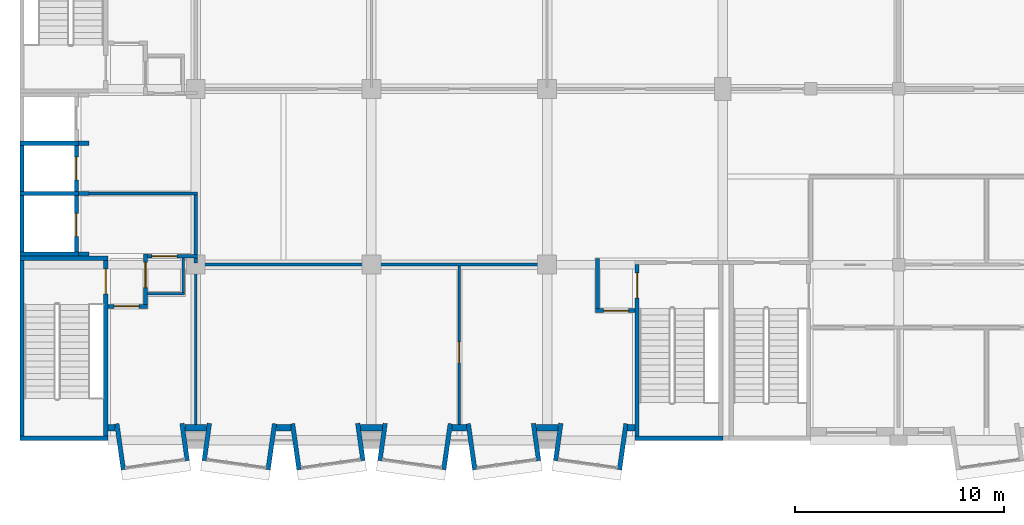
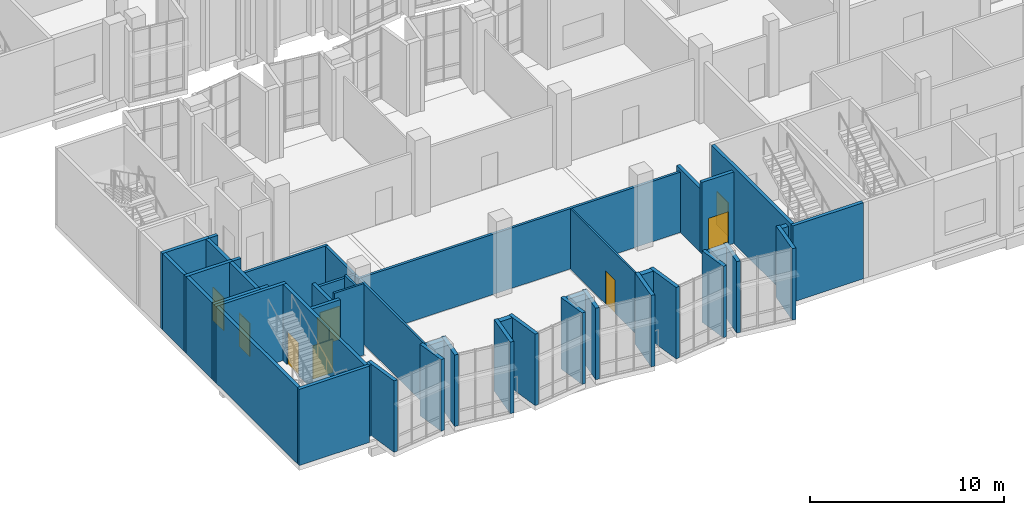
# One storey, part 29 of 91: 48 walls, 9 doors, 9 openings.
"""IFC4 building model written with IfcOpenShell, lengths in metres."""

from ifc_helpers import new_model, si_unit, direction, frame, frame_2d, origin, place, context, subcontext, project, spatial, rectangle, extrude, material, layer, layer_set, type_object, element, fill, save


model = new_model("IFC4")

# Units and contexts
model_context = context("Model", 3, precision=1e-05, world=origin(), true_north=direction((0.0, 1.0)))
body_context = subcontext(model_context, "Body", "Model", "MODEL_VIEW")
ifc_project = project(units=[si_unit("LENGTHUNIT", "METRE"), si_unit("AREAUNIT", "SQUARE_METRE"), si_unit("VOLUMEUNIT", "CUBIC_METRE"), si_unit("PLANEANGLEUNIT", "RADIAN"), si_unit("MASSUNIT", "GRAM", prefix="KILO")], contexts=[model_context])

# Site, building, storey
site_placement = place(None, origin())
site = spatial("IfcSite", under=ifc_project, at=site_placement, CompositionType="ELEMENT")
building_placement = place(site_placement, origin())
building = spatial("IfcBuilding", under=site, at=building_placement, Name="Kiln Court Media Centre", CompositionType="ELEMENT")
storey_placement = place(building_placement, frame((0.0, 0.0, 5.39990234375)))
storey = spatial("IfcBuildingStorey", under=building, at=storey_placement, Name="L01", CompositionType="ELEMENT", Elevation=5.39990234375)

# Wall, opening, door
ifc_material_1 = material(Name="Concrete block masonry M7.5", Category="masonry")
ifc_layer_1 = layer(ifc_material_1, 0.14990234375)
ifc_layer_set_1 = layer_set([ifc_layer_1], Name="Block lobby wall 150 EI 120")
wall_type_1 = type_object("IfcWallType", Name="Block lobby wall 150 EI 120", PredefinedType="SOLIDWALL", material=ifc_layer_set_1)
wall_1_placement = place(storey_placement, frame((6.10009765625, 8.800048828125, 0.0), z_axis=(0.0, 0.0, 1.0), x_axis=(1.0, 0.0, 0.0)))
wall_1 = element("IfcWall", 1, at=wall_1_placement, inside=storey, type_object=wall_type_1, Name="L01 block lobby wall", PredefinedType="SOLIDWALL", context=body_context, shape_type="SweptSolid", body=[
    extrude(rectangle(XDim=2.375, YDim=0.14990234375, at=frame_2d((1.1875, 0.0))), origin(), (0.0, 0.0, 1.0), 3.800048828125),
])
opening_1_placement = place(wall_1_placement, frame((0.199951171875, 0.0, 0.0)))
opening_1 = element("IfcOpeningElement", 2, at=opening_1_placement, cuts=wall_1, Name="Opening D1067", PredefinedType="OPENING", context=body_context, shape_type="SweptSolid", body=[
    extrude(rectangle(XDim=1.199951171875, YDim=2.10009765625, at=frame_2d((0.60009765625, 1.050048828125))), frame((0.0, 0.0849609375, 0.0), z_axis=(0.0, -1.0, 0.0), x_axis=(1.0, 0.0, 0.0)), (0.0, 0.0, 1.0), 0.169921875),
])
ifc_material_2 = material(Name="Steel S275", Category="steel")
door_type_1 = type_object("IfcDoorType", Name="Steel lobby door 1200 x 2100 FD120", OperationType="SINGLE_SWING_LEFT", PredefinedType="DOOR", material=ifc_material_2)
door_1_placement = place(opening_1_placement, origin())
door_1 = element("IfcDoor", 3, at=door_1_placement, inside=storey, type_object=door_type_1, Name="Wheelchair Refuge / Fire-fighting Lift Lobby", OperationType="SINGLE_SWING_RIGHT", OverallHeight=2.10009765625, OverallWidth=1.199951171875, PredefinedType="DOOR", context=body_context, shape_type="SweptSolid", body=[
    extrude(rectangle(XDim=1.199951171875, YDim=2.10009765625, at=frame_2d((0.60009765625, 1.050048828125))), frame((0.0, 0.02490234375, 0.0), z_axis=(0.0, -1.0, 0.0), x_axis=(1.0, 0.0, 0.0)), (0.0, 0.0, 1.0), 0.050048828125),
])
fill(opening_1, door_1)

# Walls
wall_2_placement = place(storey_placement, frame((3.300048828125, 11.800048828125, 0.0), z_axis=(0.0, 0.0, 1.0), x_axis=(1.0, 0.0, 0.0)))
element("IfcWall", 4, at=wall_2_placement, inside=storey, type_object=wall_type_1, Name="L01 block lobby wall", PredefinedType="SOLIDWALL", context=body_context, shape_type="SweptSolid", body=[
    extrude(rectangle(XDim=5.175048828125, YDim=0.14990234375, at=frame_2d((2.58740234375, 0.0))), origin(), (0.0, 0.0, 1.0), 3.800048828125),
])
wall_3_placement = place(storey_placement, frame((8.39990234375, 8.875, 0.0), z_axis=(0.0, 0.0, 1.0), x_axis=(0.0, 1.0, 0.0)))
element("IfcWall", 5, at=wall_3_placement, inside=storey, type_object=wall_type_1, Name="L01 block lobby wall", PredefinedType="SOLIDWALL", context=body_context, shape_type="SweptSolid", body=[
    extrude(rectangle(XDim=2.85009765625, YDim=0.14990234375, at=frame_2d((1.425048828125, 0.0))), origin(), (0.0, 0.0, 1.0), 3.800048828125),
])

# Wall, opening, door
ifc_material_3 = material(Name="Concrete block masonry M10", Category="masonry")
ifc_layer_2 = layer(ifc_material_3, 0.199951171875)
ifc_layer_set_2 = layer_set([ifc_layer_2], Name="Block vestibule wall 200 EI 240")
wall_type_2 = type_object("IfcWallType", Name="Block vestibule wall 200 EI 240", PredefinedType="SOLIDWALL", material=ifc_layer_set_2)
wall_4_placement = place(storey_placement, frame((27.5, 6.199951171875, 0.0), z_axis=(0.0, 0.0, 1.0), x_axis=(1.0, 0.0, 0.0)))
wall_4 = element("IfcWall", 6, at=wall_4_placement, inside=storey, type_object=wall_type_2, Name="L01 block vestibule wall", PredefinedType="SOLIDWALL", context=body_context, shape_type="SweptSolid", body=[
    extrude(rectangle(XDim=1.89990234375, YDim=0.199951171875, at=frame_2d((0.949951171875, 0.0))), origin(), (0.0, 0.0, 1.0), 4.5),
])
opening_2_placement = place(wall_4_placement, frame((0.39990234375, 0.0, 0.0)))
opening_2 = element("IfcOpeningElement", 7, at=opening_2_placement, cuts=wall_4, Name="Opening D1038", PredefinedType="OPENING", context=body_context, shape_type="SweptSolid", body=[
    extrude(rectangle(XDim=1.199951171875, YDim=2.10009765625, at=frame_2d((0.60009765625, 1.050048828125))), frame((0.0, 0.10986328125, 0.0), z_axis=(0.0, -1.0, 0.0), x_axis=(1.0, 0.0, 0.0)), (0.0, 0.0, 1.0), 0.219970703125),
])
ifc_material_4 = material(Name="Steel S275", Category="steel")
door_type_2 = type_object("IfcDoorType", Name="Steel vestibule door 1200 x 2100 FD180", OperationType="SINGLE_SWING_LEFT", PredefinedType="DOOR", material=ifc_material_4)
door_2_placement = place(opening_2_placement, origin())
door_2 = element("IfcDoor", 8, at=door_2_placement, inside=storey, type_object=door_type_2, Name="Periodicals Room / Stair 3 Vestibule", OperationType="SINGLE_SWING_RIGHT", OverallHeight=2.10009765625, OverallWidth=1.199951171875, PredefinedType="DOOR", context=body_context, shape_type="SweptSolid", body=[
    extrude(rectangle(XDim=1.199951171875, YDim=2.10009765625, at=frame_2d((0.60009765625, 1.050048828125))), frame((0.0, 0.02490234375, 0.0), z_axis=(0.0, -1.0, 0.0), x_axis=(1.0, 0.0, 0.0)), (0.0, 0.0, 1.0), 0.050048828125),
])
fill(opening_2, door_2)

wall_5_placement = place(storey_placement, frame((4.2001953125, 6.39990234375, 0.0), z_axis=(0.0, 0.0, 1.0), x_axis=(1.0, 0.0, 0.0)))
wall_5 = element("IfcWall", 9, at=wall_5_placement, inside=storey, type_object=wall_type_2, Name="L01 block vestibule wall", PredefinedType="SOLIDWALL", context=body_context, shape_type="SweptSolid", body=[
    extrude(rectangle(XDim=1.89990234375, YDim=0.199951171875, at=frame_2d((0.949951171875, 0.0))), origin(), (0.0, 0.0, 1.0), 4.5),
])
opening_3_placement = place(wall_5_placement, frame((0.2998046875, 0.0, 0.0)))
opening_3 = element("IfcOpeningElement", 10, at=opening_3_placement, cuts=wall_5, Name="Opening D1039", PredefinedType="OPENING", context=body_context, shape_type="SweptSolid", body=[
    extrude(rectangle(XDim=1.199951171875, YDim=2.10009765625, at=frame_2d((0.60009765625, 1.050048828125))), frame((0.0, 0.10986328125, 0.0), z_axis=(0.0, -1.0, 0.0), x_axis=(1.0, 0.0, 0.0)), (0.0, 0.0, 1.0), 0.219970703125),
])
door_3_placement = place(opening_3_placement, origin())
door_3 = element("IfcDoor", 11, at=door_3_placement, inside=storey, type_object=door_type_2, Name="Toilets and Accessible WC / Stair 1 Vestibule", OperationType="SINGLE_SWING_LEFT", OverallHeight=2.10009765625, OverallWidth=1.199951171875, PredefinedType="DOOR", context=body_context, shape_type="SweptSolid", body=[
    extrude(rectangle(XDim=1.199951171875, YDim=2.10009765625, at=frame_2d((0.60009765625, 1.050048828125))), frame((0.0, 0.02490234375, 0.0), z_axis=(0.0, -1.0, 0.0), x_axis=(1.0, 0.0, 0.0)), (0.0, 0.0, 1.0), 0.050048828125),
])
fill(opening_3, door_3)

wall_6_placement = place(storey_placement, frame((6.0, 6.5, 0.0), z_axis=(0.0, 0.0, 1.0), x_axis=(0.0, 1.0, 0.0)))
wall_6 = element("IfcWall", 12, at=wall_6_placement, inside=storey, type_object=wall_type_2, Name="L01 block vestibule wall", PredefinedType="SOLIDWALL", context=body_context, shape_type="SweptSolid", body=[
    extrude(rectangle(XDim=2.39990234375, YDim=0.199951171875, at=frame_2d((1.199951171875, 0.0))), origin(), (0.0, 0.0, 1.0), 4.0),
])
opening_4_placement = place(wall_6_placement, frame((0.800048828125, 0.0, 0.0)))
opening_4 = element("IfcOpeningElement", 13, at=opening_4_placement, cuts=wall_6, Name="Opening D1040", PredefinedType="OPENING", context=body_context, shape_type="SweptSolid", body=[
    extrude(rectangle(XDim=1.199951171875, YDim=2.10009765625, at=frame_2d((0.60009765625, 1.050048828125))), frame((0.0, 0.10986328125, 0.0), z_axis=(0.0, -1.0, 0.0), x_axis=(1.0, 0.0, 0.0)), (0.0, 0.0, 1.0), 0.219970703125),
])
door_4_placement = place(opening_4_placement, origin())
door_4 = element("IfcDoor", 14, at=door_4_placement, inside=storey, type_object=door_type_2, Name="Stair 1 Vestibule / Wheelchair Refuge", OperationType="SINGLE_SWING_RIGHT", OverallHeight=2.10009765625, OverallWidth=1.199951171875, PredefinedType="DOOR", context=body_context, shape_type="SweptSolid", body=[
    extrude(rectangle(XDim=1.199951171875, YDim=2.10009765625, at=frame_2d((0.60009765625, 1.050048828125))), frame((0.0, 0.02490234375, 0.0), z_axis=(0.0, -1.0, 0.0), x_axis=(1.0, 0.0, 0.0)), (0.0, 0.0, 1.0), 0.050048828125),
])
fill(opening_4, door_4)

# Walls
wall_7_placement = place(storey_placement, frame((27.60009765625, 6.300048828125, 0.0), z_axis=(0.0, 0.0, 1.0), x_axis=(0.0, 1.0, 0.0)))
element("IfcWall", 15, at=wall_7_placement, inside=storey, type_object=wall_type_2, Name="L01 block vestibule wall", PredefinedType="SOLIDWALL", context=body_context, shape_type="SweptSolid", body=[
    extrude(rectangle(XDim=2.39990234375, YDim=0.199951171875, at=frame_2d((1.199951171875, 0.0))), origin(), (0.0, 0.0, 1.0), 4.0),
])
ifc_material_5 = material(Name="Brick masonry facing leaf with RC backing", Category="masonry")
ifc_layer_3 = layer(ifc_material_5, 0.215087890625)
ifc_layer_set_3 = layer_set([ifc_layer_3], Name="Brick masonry bay cheek wall 215")
wall_type_3 = type_object("IfcWallType", Name="Brick masonry bay cheek wall 215", PredefinedType="SOLIDWALL", material=ifc_layer_set_3)
wall_8_placement = place(storey_placement, frame((4.630615234375, 0.794921875, 0.0), z_axis=(0.0, 0.0, 1.0), x_axis=(0.139141913905, -0.990272451295, 0.0)))
element("IfcWall", 16, at=wall_8_placement, inside=storey, type_object=wall_type_3, Name="BAY V6A-S-L01-02 cheek L", PredefinedType="SOLIDWALL", context=body_context, shape_type="SweptSolid", body=[
    extrude(rectangle(XDim=2.219482421875, YDim=0.215087890625, at=frame_2d((1.10986328125, 0.0))), origin(), (0.0, 0.0, 1.0), 4.5),
])
for number, where, z_axis, x_axis, name in (
    (17, (7.743896484375, 0.808837890625, 0.0), (0.0, 0.0, 1.0), (0.139161311926, -0.990269725511, 0.0), "BAY V6A-S-L01-02 cheek R"),
    (18, (9.055908203125, 0.808837890625, 0.0), (0.0, 0.0, 1.0), (-0.139161311926, -0.990269725511, 0.0), "BAY V6A-S-L01-03 cheek L"),
):
    element("IfcWall", number, at=place(storey_placement, frame(where, z_axis=z_axis, x_axis=x_axis)), inside=storey, type_object=wall_type_3, Name=name, PredefinedType="SOLIDWALL", context=body_context, shape_type="SweptSolid", body=[
        extrude(rectangle(XDim=1.800048828125, YDim=0.215087890625, at=frame_2d((0.89990234375, 0.0))), origin(), (0.0, 0.0, 1.0), 4.5),
    ])
wall_9_placement = place(storey_placement, frame((12.16943359375, 0.794921875, 0.0), z_axis=(0.0, 0.0, 1.0), x_axis=(-0.139141913905, -0.990272451295, 0.0)))
element("IfcWall", 19, at=wall_9_placement, inside=storey, type_object=wall_type_3, Name="BAY V6A-S-L01-03 cheek R", PredefinedType="SOLIDWALL", context=body_context, shape_type="SweptSolid", body=[
    extrude(rectangle(XDim=2.219482421875, YDim=0.215087890625, at=frame_2d((1.10986328125, 0.0))), origin(), (0.0, 0.0, 1.0), 4.5),
])
wall_10_placement = place(storey_placement, frame((13.030517578125, 0.794921875, 0.0), z_axis=(0.0, 0.0, 1.0), x_axis=(0.139249775508, -0.99025728981, 0.0)))
element("IfcWall", 20, at=wall_10_placement, inside=storey, type_object=wall_type_3, Name="BAY V6A-S-L01-04 cheek L", PredefinedType="SOLIDWALL", context=body_context, shape_type="SweptSolid", body=[
    extrude(rectangle(XDim=2.2197265625, YDim=0.215087890625, at=frame_2d((1.10986328125, 0.0))), origin(), (0.0, 0.0, 1.0), 4.5),
])
for number, where, z_axis, x_axis, name in (
    (21, (16.14404296875, 0.808837890625, 0.0), (0.0, 0.0, 1.0), (0.139161311926, -0.990269725511, 0.0), "BAY V6A-S-L01-04 cheek R"),
    (22, (17.4560546875, 0.808837890625, 0.0), (0.0, 0.0, 1.0), (-0.139161311926, -0.990269725511, 0.0), "BAY V6A-S-L01-05 cheek L"),
):
    element("IfcWall", number, at=place(storey_placement, frame(where, z_axis=z_axis, x_axis=x_axis)), inside=storey, type_object=wall_type_3, Name=name, PredefinedType="SOLIDWALL", context=body_context, shape_type="SweptSolid", body=[
        extrude(rectangle(XDim=1.800048828125, YDim=0.215087890625, at=frame_2d((0.89990234375, 0.0))), origin(), (0.0, 0.0, 1.0), 4.5),
    ])
for number, where, z_axis, x_axis, name in (
    (23, (20.5693359375, 0.794921875, 0.0), (0.0, 0.0, 1.0), (-0.139141913905, -0.990272451295, 0.0), "BAY V6A-S-L01-05 cheek R"),
    (24, (21.4306640625, 0.794921875, 0.0), (0.0, 0.0, 1.0), (0.139141913905, -0.990272451295, 0.0), "BAY V6A-S-L01-06 cheek L"),
):
    element("IfcWall", number, at=place(storey_placement, frame(where, z_axis=z_axis, x_axis=x_axis)), inside=storey, type_object=wall_type_3, Name=name, PredefinedType="SOLIDWALL", context=body_context, shape_type="SweptSolid", body=[
        extrude(rectangle(XDim=2.219482421875, YDim=0.215087890625, at=frame_2d((1.10986328125, 0.0))), origin(), (0.0, 0.0, 1.0), 4.5),
    ])
for number, where, z_axis, x_axis, name in (
    (25, (24.5439453125, 0.808837890625, 0.0), (0.0, 0.0, 1.0), (0.139161311926, -0.990269725511, 0.0), "BAY V6A-S-L01-06 cheek R"),
    (26, (25.85595703125, 0.808837890625, 0.0), (0.0, 0.0, 1.0), (-0.139161311926, -0.990269725511, 0.0), "BAY V6A-S-L01-07 cheek L"),
):
    element("IfcWall", number, at=place(storey_placement, frame(where, z_axis=z_axis, x_axis=x_axis)), inside=storey, type_object=wall_type_3, Name=name, PredefinedType="SOLIDWALL", context=body_context, shape_type="SweptSolid", body=[
        extrude(rectangle(XDim=1.800048828125, YDim=0.215087890625, at=frame_2d((0.89990234375, 0.0))), origin(), (0.0, 0.0, 1.0), 4.5),
    ])
wall_11_placement = place(storey_placement, frame((28.969482421875, 0.794921875, 0.0), z_axis=(0.0, 0.0, 1.0), x_axis=(-0.139249775508, -0.99025728981, 0.0)))
element("IfcWall", 27, at=wall_11_placement, inside=storey, type_object=wall_type_3, Name="BAY V6A-S-L01-07 cheek R", PredefinedType="SOLIDWALL", context=body_context, shape_type="SweptSolid", body=[
    extrude(rectangle(XDim=2.2197265625, YDim=0.215087890625, at=frame_2d((1.10986328125, 0.0))), origin(), (0.0, 0.0, 1.0), 4.5),
])
ifc_material_6 = material(Name="Brick masonry facing leaf with RC backing", Category="masonry")
ifc_layer_4 = layer(ifc_material_6, 0.300048828125)
ifc_layer_set_4 = layer_set([ifc_layer_4], Name="Brick masonry cavity wall 300")
wall_type_4 = type_object("IfcWallType", Name="Brick masonry cavity wall 300", PredefinedType="SOLIDWALL", material=ifc_layer_set_4)
wall_12_placement = place(storey_placement, frame((4.549560546875, 0.60009765625, 0.0), z_axis=(0.0, 0.0, 1.0), x_axis=(-1.0, 0.0, 0.0)))
element("IfcWall", 28, at=wall_12_placement, inside=storey, type_object=wall_type_4, Name="V6A-S facade L01 3037", PredefinedType="SOLIDWALL", context=body_context, shape_type="SweptSolid", body=[
    extrude(rectangle(XDim=0.349365234375, YDim=0.300048828125, at=frame_2d((0.1748046875, 0.0))), origin(), (0.0, 0.0, 1.0), 4.5),
])
wall_13_placement = place(storey_placement, frame((8.918212890625, 0.60009765625, 0.0), z_axis=(0.0, 0.0, 1.0), x_axis=(-1.0, 0.0, 0.0)))
element("IfcWall", 29, at=wall_13_placement, inside=storey, type_object=wall_type_4, Name="V6A-S facade L01 3038", PredefinedType="SOLIDWALL", context=body_context, shape_type="SweptSolid", body=[
    extrude(rectangle(XDim=1.036376953125, YDim=0.300048828125, at=frame_2d((0.51806640625, 0.0))), origin(), (0.0, 0.0, 1.0), 4.5),
])
wall_14_placement = place(storey_placement, frame((12.949462890625, 0.60009765625, 0.0), z_axis=(0.0, 0.0, 1.0), x_axis=(-1.0, 0.0, 0.0)))
element("IfcWall", 30, at=wall_14_placement, inside=storey, type_object=wall_type_4, Name="V6A-S facade L01 3039", PredefinedType="SOLIDWALL", context=body_context, shape_type="SweptSolid", body=[
    extrude(rectangle(XDim=0.698974609375, YDim=0.300048828125, at=frame_2d((0.349609375, 0.0))), origin(), (0.0, 0.0, 1.0), 4.5),
])
wall_15_placement = place(storey_placement, frame((17.318115234375, 0.60009765625, 0.0), z_axis=(0.0, 0.0, 1.0), x_axis=(-1.0, 0.0, 0.0)))
element("IfcWall", 31, at=wall_15_placement, inside=storey, type_object=wall_type_4, Name="V6A-S facade L01 3040", PredefinedType="SOLIDWALL", context=body_context, shape_type="SweptSolid", body=[
    extrude(rectangle(XDim=1.0361328125, YDim=0.300048828125, at=frame_2d((0.51806640625, 0.0))), origin(), (0.0, 0.0, 1.0), 4.5),
])
wall_16_placement = place(storey_placement, frame((21.349609375, 0.60009765625, 0.0), z_axis=(0.0, 0.0, 1.0), x_axis=(-1.0, 0.0, 0.0)))
element("IfcWall", 32, at=wall_16_placement, inside=storey, type_object=wall_type_4, Name="V6A-S facade L01 3041", PredefinedType="SOLIDWALL", context=body_context, shape_type="SweptSolid", body=[
    extrude(rectangle(XDim=0.69921875, YDim=0.300048828125, at=frame_2d((0.349609375, 0.0))), origin(), (0.0, 0.0, 1.0), 4.5),
])
wall_17_placement = place(storey_placement, frame((25.718017578125, 0.60009765625, 0.0), z_axis=(0.0, 0.0, 1.0), x_axis=(-1.0, 0.0, 0.0)))
element("IfcWall", 33, at=wall_17_placement, inside=storey, type_object=wall_type_4, Name="V6A-S facade L01 3042", PredefinedType="SOLIDWALL", context=body_context, shape_type="SweptSolid", body=[
    extrude(rectangle(XDim=1.0361328125, YDim=0.300048828125, at=frame_2d((0.51806640625, 0.0))), origin(), (0.0, 0.0, 1.0), 4.5),
])
wall_18_placement = place(storey_placement, frame((29.39990234375, 0.60009765625, 0.0), z_axis=(0.0, 0.0, 1.0), x_axis=(-1.0, 0.0, 0.0)))
element("IfcWall", 34, at=wall_18_placement, inside=storey, type_object=wall_type_4, Name="V6A-S facade L01 3043", PredefinedType="SOLIDWALL", context=body_context, shape_type="SweptSolid", body=[
    extrude(rectangle(XDim=0.349365234375, YDim=0.300048828125, at=frame_2d((0.1748046875, 0.0))), origin(), (0.0, 0.0, 1.0), 4.5),
])
ifc_material_7 = material(Name="Concrete C40/50", Category="concrete")
ifc_layer_5 = layer(ifc_material_7, 0.199951171875)
ifc_layer_set_5 = layer_set([ifc_layer_5], Name="Concrete C40/50 shear wall 200")
wall_type_5 = type_object("IfcWallType", Name="Concrete C40/50 shear wall 200", PredefinedType="SHEAR", material=ifc_layer_set_5)
for number, where, z_axis, x_axis, name in (
    (35, (4.199951171875, 0.10009765625, 0.0), (0.0, 0.0, 1.0), (-1.0, 0.0, 0.0), "L01-W-1000"),
    (36, (0.00048828125, 8.699951171875, 0.0), (0.0, 0.0, 1.0), (1.0, 0.0, 0.0), "L01-W-1001"),
):
    element("IfcWall", number, at=place(storey_placement, frame(where, z_axis=z_axis, x_axis=x_axis)), inside=storey, type_object=wall_type_5, Name=name, PredefinedType="SHEAR", context=body_context, shape_type="SweptSolid", body=[
        extrude(rectangle(XDim=4.199462890625, YDim=0.199951171875, at=frame_2d((2.099609375, 0.0))), origin(), (0.0, 0.0, 1.0), 4.800048828125),
    ])
wall_19_placement = place(storey_placement, frame((0.100341796875, 0.199951171875, 0.0), z_axis=(0.0, 0.0, 1.0), x_axis=(0.0, 1.0, 0.0)))
element("IfcWall", 37, at=wall_19_placement, inside=storey, type_object=wall_type_5, Name="L01-W-1002", PredefinedType="SHEAR", context=body_context, shape_type="SweptSolid", body=[
    extrude(rectangle(XDim=8.400146484375, YDim=0.199951171875, at=frame_2d((4.2001953125, 0.0))), origin(), (0.0, 0.0, 1.0), 4.800048828125),
])

# Wall, opening, door
wall_20_placement = place(storey_placement, frame((4.10009765625, 8.60009765625, 0.0), z_axis=(0.0, 0.0, 1.0), x_axis=(0.0, -1.0, 0.0)))
wall_20 = element("IfcWall", 38, at=wall_20_placement, inside=storey, type_object=wall_type_5, Name="L01-W-1003", PredefinedType="SHEAR", context=body_context, shape_type="SweptSolid", body=[
    extrude(rectangle(XDim=8.400146484375, YDim=0.199951171875, at=frame_2d((4.2001953125, 0.0))), origin(), (0.0, 0.0, 1.0), 4.800048828125),
])
opening_5_placement = place(wall_20_placement, frame((0.400146484375, 0.0, 0.0)))
opening_5 = element("IfcOpeningElement", 39, at=opening_5_placement, cuts=wall_20, Name="Opening D1011", PredefinedType="OPENING", context=body_context, shape_type="SweptSolid", body=[
    extrude(rectangle(XDim=1.199951171875, YDim=2.10009765625, at=frame_2d((0.60009765625, 1.050048828125))), frame((0.0, 0.10986328125, 0.0), z_axis=(0.0, -1.0, 0.0), x_axis=(1.0, 0.0, 0.0)), (0.0, 0.0, 1.0), 0.219970703125),
])
ifc_material_8 = material(Name="Steel S275", Category="steel")
door_type_3 = type_object("IfcDoorType", Name="Steel stair door 1200 x 2100 FD180", OperationType="SINGLE_SWING_LEFT", PredefinedType="DOOR", material=ifc_material_8)
door_5_placement = place(opening_5_placement, origin())
door_5 = element("IfcDoor", 40, at=door_5_placement, inside=storey, type_object=door_type_3, Name="Stair 1 / Stair 1 Vestibule", OperationType="SINGLE_SWING_RIGHT", OverallHeight=2.10009765625, OverallWidth=1.199951171875, PredefinedType="DOOR", context=body_context, shape_type="SweptSolid", body=[
    extrude(rectangle(XDim=1.199951171875, YDim=2.10009765625, at=frame_2d((0.60009765625, 1.050048828125))), frame((0.0, 0.02490234375, 0.0), z_axis=(0.0, -1.0, 0.0), x_axis=(1.0, 0.0, 0.0)), (0.0, 0.0, 1.0), 0.050048828125),
])
fill(opening_5, door_5)

# Wall
wall_21_placement = place(storey_placement, frame((33.60009765625, 0.10009765625, 0.0), z_axis=(0.0, 0.0, 1.0), x_axis=(-1.0, 0.0, 0.0)))
element("IfcWall", 41, at=wall_21_placement, inside=storey, type_object=wall_type_5, Name="L01-W-1008", PredefinedType="SHEAR", context=body_context, shape_type="SweptSolid", body=[
    extrude(rectangle(XDim=4.2001953125, YDim=0.199951171875, at=frame_2d((2.10009765625, 0.0))), origin(), (0.0, 0.0, 1.0), 4.800048828125),
])

# Wall, opening, door
wall_22_placement = place(storey_placement, frame((29.5, 0.199951171875, 0.0), z_axis=(0.0, 0.0, 1.0), x_axis=(0.0, 1.0, 0.0)))
wall_22 = element("IfcWall", 42, at=wall_22_placement, inside=storey, type_object=wall_type_5, Name="L01-W-1010", PredefinedType="SHEAR", context=body_context, shape_type="SweptSolid", body=[
    extrude(rectangle(XDim=8.199951171875, YDim=0.199951171875, at=frame_2d((4.10009765625, 0.0))), origin(), (0.0, 0.0, 1.0), 4.800048828125),
])
opening_6_placement = place(wall_22_placement, frame((6.60009765625, 0.0, 0.0)))
opening_6 = element("IfcOpeningElement", 43, at=opening_6_placement, cuts=wall_22, Name="Opening D1012", PredefinedType="OPENING", context=body_context, shape_type="SweptSolid", body=[
    extrude(rectangle(XDim=1.199951171875, YDim=2.10009765625, at=frame_2d((0.60009765625, 1.050048828125))), frame((0.0, 0.10986328125, 0.0), z_axis=(0.0, -1.0, 0.0), x_axis=(1.0, 0.0, 0.0)), (0.0, 0.0, 1.0), 0.219970703125),
])
door_6_placement = place(opening_6_placement, origin())
door_6 = element("IfcDoor", 44, at=door_6_placement, inside=storey, type_object=door_type_3, Name="Stair 3 / Stair 3 Vestibule", OperationType="SINGLE_SWING_RIGHT", OverallHeight=2.10009765625, OverallWidth=1.199951171875, PredefinedType="DOOR", context=body_context, shape_type="SweptSolid", body=[
    extrude(rectangle(XDim=1.199951171875, YDim=2.10009765625, at=frame_2d((0.60009765625, 1.050048828125))), frame((0.0, 0.02490234375, 0.0), z_axis=(0.0, -1.0, 0.0), x_axis=(1.0, 0.0, 0.0)), (0.0, 0.0, 1.0), 0.050048828125),
])
fill(opening_6, door_6)

# Walls
for number, where, z_axis, x_axis, name in (
    (45, (2.800048828125, 8.89990234375, 0.0), (0.0, 0.0, 1.0), (-1.0, 0.0, 0.0), "L01-W-1068"),
    (46, (0.00048828125, 11.800048828125, 0.0), (0.0, 0.0, 1.0), (1.0, 0.0, 0.0), "L01-W-1069"),
):
    element("IfcWall", number, at=place(storey_placement, frame(where, z_axis=z_axis, x_axis=x_axis)), inside=storey, type_object=wall_type_5, Name=name, PredefinedType="SHEAR", context=body_context, shape_type="SweptSolid", body=[
        extrude(rectangle(XDim=2.799560546875, YDim=0.199951171875, at=frame_2d((1.39990234375, 0.0))), origin(), (0.0, 0.0, 1.0), 4.800048828125),
    ])
wall_23_placement = place(storey_placement, frame((0.100341796875, 9.0, 0.0), z_axis=(0.0, 0.0, 1.0), x_axis=(0.0, 1.0, 0.0)))
element("IfcWall", 47, at=wall_23_placement, inside=storey, type_object=wall_type_5, Name="L01-W-1070", PredefinedType="SHEAR", context=body_context, shape_type="SweptSolid", body=[
    extrude(rectangle(XDim=2.699951171875, YDim=0.199951171875, at=frame_2d((1.35009765625, 0.0))), origin(), (0.0, 0.0, 1.0), 4.800048828125),
])

# Wall, opening, door
wall_24_placement = place(storey_placement, frame((2.699951171875, 11.699951171875, 0.0), z_axis=(0.0, 0.0, 1.0), x_axis=(0.0, -1.0, 0.0)))
wall_24 = element("IfcWall", 48, at=wall_24_placement, inside=storey, type_object=wall_type_5, Name="L01-W-1071", PredefinedType="SHEAR", context=body_context, shape_type="SweptSolid", body=[
    extrude(rectangle(XDim=2.699951171875, YDim=0.199951171875, at=frame_2d((1.35009765625, 0.0))), origin(), (0.0, 0.0, 1.0), 4.800048828125),
])
opening_7_placement = place(wall_24_placement, frame((0.85009765625, 0.0, 0.0)))
opening_7 = element("IfcOpeningElement", 49, at=opening_7_placement, cuts=wall_24, Name="Opening LD101", PredefinedType="OPENING", context=body_context, shape_type="SweptSolid", body=[
    extrude(rectangle(XDim=1.10009765625, YDim=2.10009765625, at=frame_2d((0.550048828125, 1.050048828125))), frame((0.0, 0.10986328125, 0.0), z_axis=(0.0, -1.0, 0.0), x_axis=(1.0, 0.0, 0.0)), (0.0, 0.0, 1.0), 0.219970703125),
])
ifc_material_9 = material(Name="Stainless steel", Category="steel")
door_type_4 = type_object("IfcDoorType", Name="Firefighting lift landing door 1100 x 2100 FD120", OperationType="SLIDING_TO_LEFT", PredefinedType="DOOR", material=ifc_material_9)
door_7_placement = place(opening_7_placement, origin())
door_7 = element("IfcDoor", 50, at=door_7_placement, inside=storey, type_object=door_type_4, Name="LF-01 landing door L01", OperationType="SLIDING_TO_LEFT", OverallHeight=2.10009765625, OverallWidth=1.10009765625, PredefinedType="DOOR", context=body_context, shape_type="SweptSolid", body=[
    extrude(rectangle(XDim=1.10009765625, YDim=2.10009765625, at=frame_2d((0.550048828125, 1.050048828125))), frame((0.0, 0.02490234375, 0.0), z_axis=(0.0, -1.0, 0.0), x_axis=(1.0, 0.0, 0.0)), (0.0, 0.0, 1.0), 0.050048828125),
])
fill(opening_7, door_7)

# Walls
wall_25_placement = place(storey_placement, frame((0.00048828125, 14.199951171875, 0.0), z_axis=(0.0, 0.0, 1.0), x_axis=(1.0, 0.0, 0.0)))
element("IfcWall", 51, at=wall_25_placement, inside=storey, type_object=wall_type_5, Name="L01-W-1072", PredefinedType="SHEAR", context=body_context, shape_type="SweptSolid", body=[
    extrude(rectangle(XDim=2.799560546875, YDim=0.199951171875, at=frame_2d((1.39990234375, 0.0))), origin(), (0.0, 0.0, 1.0), 4.800048828125),
])
wall_26_placement = place(storey_placement, frame((0.100341796875, 11.89990234375, 0.0), z_axis=(0.0, 0.0, 1.0), x_axis=(0.0, 1.0, 0.0)))
element("IfcWall", 52, at=wall_26_placement, inside=storey, type_object=wall_type_5, Name="L01-W-1073", PredefinedType="SHEAR", context=body_context, shape_type="SweptSolid", body=[
    extrude(rectangle(XDim=2.2001953125, YDim=0.199951171875, at=frame_2d((1.10009765625, 0.0))), origin(), (0.0, 0.0, 1.0), 4.800048828125),
])

# Wall, opening, door
wall_27_placement = place(storey_placement, frame((2.699951171875, 14.10009765625, 0.0), z_axis=(0.0, 0.0, 1.0), x_axis=(0.0, -1.0, 0.0)))
wall_27 = element("IfcWall", 53, at=wall_27_placement, inside=storey, type_object=wall_type_5, Name="L01-W-1074", PredefinedType="SHEAR", context=body_context, shape_type="SweptSolid", body=[
    extrude(rectangle(XDim=2.2001953125, YDim=0.199951171875, at=frame_2d((1.10009765625, 0.0))), origin(), (0.0, 0.0, 1.0), 4.800048828125),
])
opening_8_placement = place(wall_27_placement, frame((0.550048828125, 0.0, 0.0)))
opening_8 = element("IfcOpeningElement", 54, at=opening_8_placement, cuts=wall_27, Name="Opening LD102", PredefinedType="OPENING", context=body_context, shape_type="SweptSolid", body=[
    extrude(rectangle(XDim=1.10009765625, YDim=2.10009765625, at=frame_2d((0.550048828125, 1.050048828125))), frame((0.0, 0.10986328125, 0.0), z_axis=(0.0, -1.0, 0.0), x_axis=(1.0, 0.0, 0.0)), (0.0, 0.0, 1.0), 0.219970703125),
])
ifc_material_10 = material(Name="Stainless steel", Category="steel")
door_type_5 = type_object("IfcDoorType", Name="Lift landing door 1100 x 2100 FD120", OperationType="SLIDING_TO_LEFT", PredefinedType="DOOR", material=ifc_material_10)
door_8_placement = place(opening_8_placement, origin())
door_8 = element("IfcDoor", 55, at=door_8_placement, inside=storey, type_object=door_type_5, Name="LF-02 landing door L01", OperationType="SLIDING_TO_LEFT", OverallHeight=2.10009765625, OverallWidth=1.10009765625, PredefinedType="DOOR", context=body_context, shape_type="SweptSolid", body=[
    extrude(rectangle(XDim=1.10009765625, YDim=2.10009765625, at=frame_2d((0.550048828125, 1.050048828125))), frame((0.0, 0.02490234375, 0.0), z_axis=(0.0, -1.0, 0.0), x_axis=(1.0, 0.0, 0.0)), (0.0, 0.0, 1.0), 0.050048828125),
])
fill(opening_8, door_8)

# Walls
for number, where, z_axis, x_axis, name in (
    (56, (3.300048828125, 8.89990234375, 0.0), (0.0, 0.0, 1.0), (-1.0, 0.0, 0.0), "L01-W-1152"),
    (57, (2.800048828125, 11.800048828125, 0.0), (0.0, 0.0, 1.0), (1.0, 0.0, 0.0), "L01-W-1153"),
    (58, (2.800048828125, 14.199951171875, 0.0), (0.0, 0.0, 1.0), (1.0, 0.0, 0.0), "L01-W-1154"),
):
    element("IfcWall", number, at=place(storey_placement, frame(where, z_axis=z_axis, x_axis=x_axis)), inside=storey, type_object=wall_type_5, Name=name, PredefinedType="SHEAR", context=body_context, shape_type="SweptSolid", body=[
        extrude(rectangle(XDim=0.5, YDim=0.199951171875, at=frame_2d((0.25, 0.0))), origin(), (0.0, 0.0, 1.0), 4.800048828125),
    ])
ifc_material_11 = material(Name="Gypsum plasterboard", Category="gypsum")
ifc_layer_6 = layer(ifc_material_11, 0.14990234375)
ifc_layer_set_6 = layer_set([ifc_layer_6], Name="Gypsum corridor partition 150 EI 60")
wall_type_6 = type_object("IfcWallType", Name="Gypsum corridor partition 150 EI 60", PredefinedType="PARTITIONING", material=ifc_layer_set_6)
wall_28_placement = place(storey_placement, frame((8.324951171875, 8.39990234375, 0.0), z_axis=(0.0, 0.0, 1.0), x_axis=(1.0, 0.0, 0.0)))
element("IfcWall", 59, at=wall_28_placement, inside=storey, type_object=wall_type_6, Name="L01 gypsum corridor partition", PredefinedType="PARTITIONING", context=body_context, shape_type="SweptSolid", body=[
    extrude(rectangle(XDim=19.175048828125, YDim=0.14990234375, at=frame_2d((9.58740234375, 0.0))), origin(), (0.0, 0.0, 1.0), 3.800048828125),
])
wall_29_placement = place(storey_placement, frame((8.39990234375, 8.47509765625, 0.0), z_axis=(0.0, 0.0, 1.0), x_axis=(0.0, 1.0, 0.0)))
element("IfcWall", 60, at=wall_29_placement, inside=storey, type_object=wall_type_6, Name="L01 gypsum corridor partition", PredefinedType="PARTITIONING", context=body_context, shape_type="SweptSolid", body=[
    extrude(rectangle(XDim=0.25, YDim=0.14990234375, at=frame_2d((0.125, 0.0))), origin(), (0.0, 0.0, 1.0), 3.800048828125),
])

# Wall, opening, door
ifc_material_12 = material(Name="Gypsum plasterboard", Category="gypsum")
ifc_layer_7 = layer(ifc_material_12, 0.10009765625)
ifc_layer_set_7 = layer_set([ifc_layer_7], Name="Gypsum stud partition 100")
wall_type_7 = type_object("IfcWallType", Name="Gypsum stud partition 100", PredefinedType="PARTITIONING", material=ifc_layer_set_7)
wall_30_placement = place(storey_placement, frame((21.0, 0.75, 0.0), z_axis=(0.0, 0.0, 1.0), x_axis=(0.0, 1.0, 0.0)))
wall_30 = element("IfcWall", 61, at=wall_30_placement, inside=storey, type_object=wall_type_7, Name="L01 gypsum stud partition", PredefinedType="PARTITIONING", context=body_context, shape_type="SweptSolid", body=[
    extrude(rectangle(XDim=7.574951171875, YDim=0.10009765625, at=frame_2d((3.78759765625, 0.0))), origin(), (0.0, 0.0, 1.0), 3.800048828125),
])
opening_9_placement = place(wall_30_placement, frame((2.949951171875, 0.0, 0.0)))
opening_9 = element("IfcOpeningElement", 62, at=opening_9_placement, cuts=wall_30, Name="Opening D1066", PredefinedType="OPENING", context=body_context, shape_type="SweptSolid", body=[
    extrude(rectangle(XDim=1.0, YDim=2.10009765625, at=frame_2d((0.5, 1.050048828125))), frame((0.0, 0.06005859375, 0.0), z_axis=(0.0, -1.0, 0.0), x_axis=(1.0, 0.0, 0.0)), (0.0, 0.0, 1.0), 0.1201171875),
])
ifc_material_13 = material(Name="Timber", Category="wood")
door_type_6 = type_object("IfcDoorType", Name="Timber door 1000 x 2100", OperationType="SINGLE_SWING_LEFT", PredefinedType="DOOR", material=ifc_material_13)
door_9_placement = place(opening_9_placement, origin())
door_9 = element("IfcDoor", 63, at=door_9_placement, inside=storey, type_object=door_type_6, Name="Catalogue and Lending Hall / Periodicals Room", OperationType="SINGLE_SWING_RIGHT", OverallHeight=2.10009765625, OverallWidth=1.0, PredefinedType="DOOR", context=body_context, shape_type="SweptSolid", body=[
    extrude(rectangle(XDim=1.0, YDim=2.10009765625, at=frame_2d((0.5, 1.050048828125))), frame((0.0, 0.02490234375, 0.0), z_axis=(0.0, -1.0, 0.0), x_axis=(1.0, 0.0, 0.0)), (0.0, 0.0, 1.0), 0.050048828125),
])
fill(opening_9, door_9)

# Walls
ifc_material_14 = material(Name="Gypsum plasterboard", Category="gypsum")
ifc_layer_8 = layer(ifc_material_14, 0.125)
ifc_layer_set_8 = layer_set([ifc_layer_8], Name="Gypsum wet-area partition 125")
wall_type_8 = type_object("IfcWallType", Name="Gypsum wet-area partition 125", PredefinedType="PARTITIONING", material=ifc_layer_set_8)
wall_31_placement = place(storey_placement, frame((6.10009765625, 7.0, 0.0), z_axis=(0.0, 0.0, 1.0), x_axis=(1.0, 0.0, 0.0)))
element("IfcWall", 64, at=wall_31_placement, inside=storey, type_object=wall_type_8, Name="L01 gypsum wet-area partition", PredefinedType="PARTITIONING", context=body_context, shape_type="SweptSolid", body=[
    extrude(rectangle(XDim=1.762451171875, YDim=0.125, at=frame_2d((0.88134765625, 0.0))), origin(), (0.0, 0.0, 1.0), 4.5),
])
wall_32_placement = place(storey_placement, frame((7.800048828125, 7.0625, 0.0), z_axis=(0.0, 0.0, 1.0), x_axis=(0.0, 1.0, 0.0)))
element("IfcWall", 65, at=wall_32_placement, inside=storey, type_object=wall_type_8, Name="L01 gypsum wet-area partition", PredefinedType="PARTITIONING", context=body_context, shape_type="SweptSolid", body=[
    extrude(rectangle(XDim=1.66259765625, YDim=0.125, at=frame_2d((0.831298828125, 0.0))), origin(), (0.0, 0.0, 1.0), 4.0),
])
wall_33_placement = place(storey_placement, frame((8.39990234375, 0.75, 0.0), z_axis=(0.0, 0.0, 1.0), x_axis=(0.0, 1.0, 0.0)))
element("IfcWall", 66, at=wall_33_placement, inside=storey, type_object=wall_type_8, Name="L01 gypsum wet-area partition", PredefinedType="PARTITIONING", context=body_context, shape_type="SweptSolid", body=[
    extrude(rectangle(XDim=7.574951171875, YDim=0.125, at=frame_2d((3.78759765625, 0.0))), origin(), (0.0, 0.0, 1.0), 3.800048828125),
])

save(model, "model.ifc")
